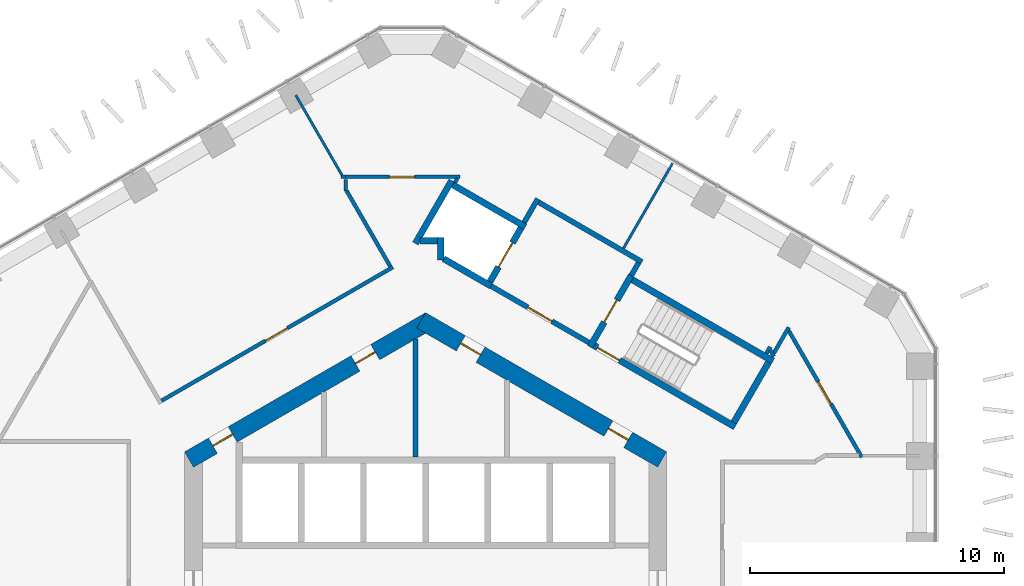
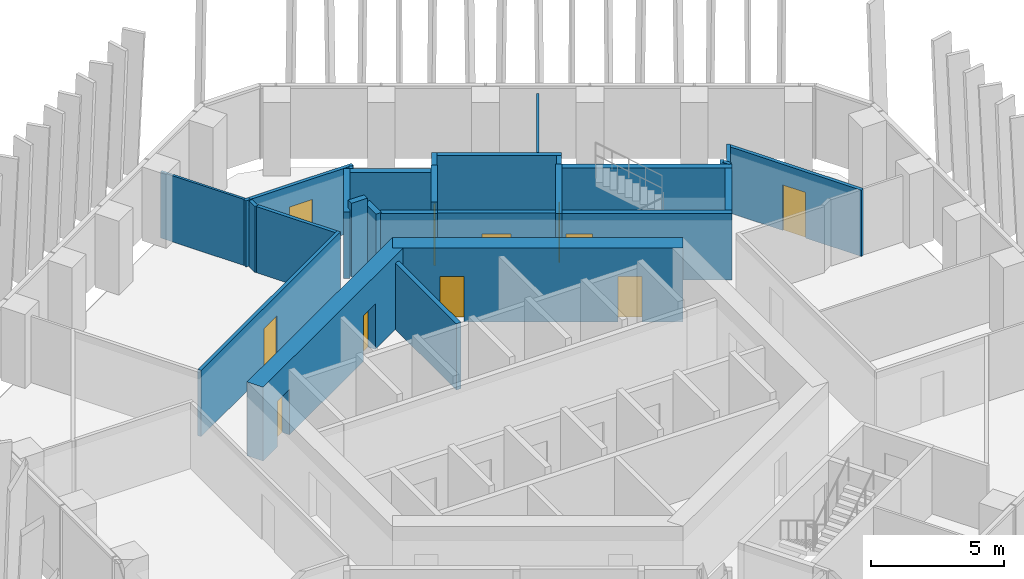
# One storey, part 15 of 19: 29 walls, 11 doors, 11 openings.
"""IFC4 building model written with IfcOpenShell, lengths in metres."""

from ifc_helpers import new_model, si_unit, direction, frame, frame_2d, origin, place, context, subcontext, project, spatial, rectangle, extrude, material, layer, layer_set, type_object, element, fill, save


model = new_model("IFC4")

# Units and contexts
model_context = context("Model", 3, precision=1e-05, world=origin(), true_north=direction((0.0, 1.0)))
body_context = subcontext(model_context, "Body", "Model", "MODEL_VIEW")
ifc_project = project(units=[si_unit("LENGTHUNIT", "METRE"), si_unit("AREAUNIT", "SQUARE_METRE"), si_unit("VOLUMEUNIT", "CUBIC_METRE"), si_unit("PLANEANGLEUNIT", "RADIAN"), si_unit("MASSUNIT", "GRAM", prefix="KILO")], contexts=[model_context])

# Site, building, storey
site_placement = place(None, origin())
site = spatial("IfcSite", under=ifc_project, at=site_placement, CompositionType="ELEMENT")
building_placement = place(site_placement, origin())
building = spatial("IfcBuilding", under=site, at=building_placement, Name="Ayvan Gate Tower", CompositionType="ELEMENT")
storey_placement = place(building_placement, frame((0.0, 0.0, 113.699951171875)))
storey = spatial("IfcBuildingStorey", under=building, at=storey_placement, Name="L30", CompositionType="ELEMENT", Elevation=113.699951171875)

# Wall, openings, doors
ifc_material_1 = material(Name="Concrete C70/85", Category="concrete")
ifc_layer_1 = layer(ifc_material_1, 0.699951171875)
ifc_layer_set_1 = layer_set([ifc_layer_1], Name="Concrete C70/85")
wall_type_1 = type_object("IfcWallType", Name="Core wall 700 C70/85", PredefinedType="SHEAR", material=ifc_layer_set_1)
wall_1_placement = place(storey_placement, frame((9.324951171875, 5.181640625, 0.0), z_axis=(0.0, 0.0, 1.0), x_axis=(-0.866023993627, 0.500002442456, 0.0)))
wall_1 = element("IfcWall", 1, at=wall_1_placement, inside=storey, type_object=wall_type_1, Name="CORE-L30-1", PredefinedType="SHEAR", context=body_context, shape_type="SweptSolid", body=[
    extrude(rectangle(XDim=10.9697265625, YDim=0.699951171875, at=frame_2d((5.48486328125, 0.0))), origin(), (0.0, 0.0, 1.0), 3.400146484375),
])
opening_1_placement = place(wall_1_placement, frame((8.267333984375, 0.0, 0.0)))
opening_1 = element("IfcOpeningElement", 2, at=opening_1_placement, cuts=wall_1, Name="Opening L30-D32", PredefinedType="OPENING", context=body_context, shape_type="SweptSolid", body=[
    extrude(rectangle(XDim=0.89990234375, YDim=2.10009765625, at=frame_2d((0.449951171875, 1.050048828125))), frame((0.0, 0.35986328125, 0.0), z_axis=(0.0, -1.0, 0.0), x_axis=(1.0, 0.0, 0.0)), (0.0, 0.0, 1.0), 0.719970703125),
])
opening_2_placement = place(wall_1_placement, frame((1.547119140625, 0.0, 0.0)))
opening_2 = element("IfcOpeningElement", 3, at=opening_2_placement, cuts=wall_1, Name="Opening L30-D33", PredefinedType="OPENING", context=body_context, shape_type="SweptSolid", body=[
    extrude(rectangle(XDim=0.89990234375, YDim=2.10009765625, at=frame_2d((0.449951171875, 1.050048828125))), frame((0.0, 0.35986328125, 0.0), z_axis=(0.0, -1.0, 0.0), x_axis=(1.0, 0.0, 0.0)), (0.0, 0.0, 1.0), 0.719970703125),
])
ifc_material_2 = material(Name="Timber door leaf", Category="wood")
door_type_1 = type_object("IfcDoorType", Name="DT-900", OperationType="NOTDEFINED", PredefinedType="DOOR", material=ifc_material_2)
door_1_placement = place(opening_1_placement, origin())
door_1 = element("IfcDoor", 4, at=door_1_placement, inside=storey, type_object=door_type_1, Name="CD-L30-32", OperationType="SINGLE_SWING_RIGHT", OverallHeight=2.10009765625, OverallWidth=0.89990234375, PredefinedType="DOOR", context=body_context, shape_type="SweptSolid", body=[
    extrude(rectangle(XDim=0.89990234375, YDim=2.10009765625, at=frame_2d((0.449951171875, 1.050048828125))), frame((0.0, 0.02490234375, 0.0), z_axis=(0.0, -1.0, 0.0), x_axis=(1.0, 0.0, 0.0)), (0.0, 0.0, 1.0), 0.050048828125),
])
fill(opening_1, door_1)
door_2_placement = place(opening_2_placement, origin())
door_2 = element("IfcDoor", 5, at=door_2_placement, inside=storey, type_object=door_type_1, Name="CD-L30-33", OperationType="SINGLE_SWING_LEFT", OverallHeight=2.10009765625, OverallWidth=0.89990234375, PredefinedType="DOOR", context=body_context, shape_type="SweptSolid", body=[
    extrude(rectangle(XDim=0.89990234375, YDim=2.10009765625, at=frame_2d((0.449951171875, 1.050048828125))), frame((0.0, 0.02490234375, 0.0), z_axis=(0.0, -1.0, 0.0), x_axis=(1.0, 0.0, 0.0)), (0.0, 0.0, 1.0), 0.050048828125),
])
fill(opening_2, door_2)

wall_2_placement = place(storey_placement, frame((0.175048828125, 10.66650390625, 0.0), z_axis=(0.0, 0.0, 1.0), x_axis=(-0.866023993627, -0.500002442456, 0.0)))
wall_2 = element("IfcWall", 6, at=wall_2_placement, inside=storey, type_object=wall_type_1, Name="CORE-L30-2", PredefinedType="SHEAR", context=body_context, shape_type="SweptSolid", body=[
    extrude(rectangle(XDim=10.9697265625, YDim=0.699951171875, at=frame_2d((5.48486328125, 0.0))), origin(), (0.0, 0.0, 1.0), 3.400146484375),
])
opening_3_placement = place(wall_2_placement, frame((8.984619140625, 0.0, 0.0)))
opening_3 = element("IfcOpeningElement", 7, at=opening_3_placement, cuts=wall_2, Name="Opening L30-D30", PredefinedType="OPENING", context=body_context, shape_type="SweptSolid", body=[
    extrude(rectangle(XDim=0.89990234375, YDim=2.10009765625, at=frame_2d((0.449951171875, 1.050048828125))), frame((0.0, 0.35986328125, 0.0), z_axis=(0.0, -1.0, 0.0), x_axis=(1.0, 0.0, 0.0)), (0.0, 0.0, 1.0), 0.719970703125),
])
opening_4_placement = place(wall_2_placement, frame((2.4951171875, 0.0, 0.0)))
opening_4 = element("IfcOpeningElement", 8, at=opening_4_placement, cuts=wall_2, Name="Opening L30-D31", PredefinedType="OPENING", context=body_context, shape_type="SweptSolid", body=[
    extrude(rectangle(XDim=0.89990234375, YDim=2.10009765625, at=frame_2d((0.449951171875, 1.050048828125))), frame((0.0, 0.35986328125, 0.0), z_axis=(0.0, -1.0, 0.0), x_axis=(1.0, 0.0, 0.0)), (0.0, 0.0, 1.0), 0.719970703125),
])
door_3_placement = place(opening_3_placement, origin())
door_3 = element("IfcDoor", 9, at=door_3_placement, inside=storey, type_object=door_type_1, Name="CD-L30-30", OperationType="SINGLE_SWING_RIGHT", OverallHeight=2.10009765625, OverallWidth=0.89990234375, PredefinedType="DOOR", context=body_context, shape_type="SweptSolid", body=[
    extrude(rectangle(XDim=0.89990234375, YDim=2.10009765625, at=frame_2d((0.449951171875, 1.050048828125))), frame((0.0, 0.02490234375, 0.0), z_axis=(0.0, -1.0, 0.0), x_axis=(1.0, 0.0, 0.0)), (0.0, 0.0, 1.0), 0.050048828125),
])
fill(opening_3, door_3)
door_4_placement = place(opening_4_placement, origin())
door_4 = element("IfcDoor", 10, at=door_4_placement, inside=storey, type_object=door_type_1, Name="CD-L30-31", OperationType="SINGLE_SWING_LEFT", OverallHeight=2.10009765625, OverallWidth=0.89990234375, PredefinedType="DOOR", context=body_context, shape_type="SweptSolid", body=[
    extrude(rectangle(XDim=0.89990234375, YDim=2.10009765625, at=frame_2d((0.449951171875, 1.050048828125))), frame((0.0, 0.02490234375, 0.0), z_axis=(0.0, -1.0, 0.0), x_axis=(1.0, 0.0, 0.0)), (0.0, 0.0, 1.0), 0.050048828125),
])
fill(opening_4, door_4)

# Wall, opening, door
ifc_material_3 = material(Name="Plasterboard on steel stud", Category="steel")
ifc_layer_2 = layer(ifc_material_3, 0.14990234375)
ifc_layer_set_2 = layer_set([ifc_layer_2], Name="Plasterboard on steel stud")
wall_type_2 = type_object("IfcWallType", Name="WT-CORR-150", PredefinedType="PARTITIONING", material=ifc_layer_set_2)
wall_3_placement = place(storey_placement, frame((-10.41015625, 7.49951171875, 0.0), z_axis=(0.0, 0.0, 1.0), x_axis=(0.866016108349, 0.50001609982, 0.0)))
wall_3 = element("IfcWall", 11, at=wall_3_placement, inside=storey, type_object=wall_type_2, Name="IW-L30-013", PredefinedType="PARTITIONING", context=body_context, shape_type="SweptSolid", body=[
    extrude(rectangle(XDim=10.531494140625, YDim=0.14990234375, at=frame_2d((5.265625, 0.0))), origin(), (0.0, 0.0, 1.0), 3.050048828125),
])
opening_5_placement = place(wall_3_placement, frame((4.728271484375, 0.0, 0.0)))
opening_5 = element("IfcOpeningElement", 12, at=opening_5_placement, cuts=wall_3, Name="Opening L30-D29", PredefinedType="OPENING", context=body_context, shape_type="SweptSolid", body=[
    extrude(rectangle(XDim=1.0, YDim=2.10009765625, at=frame_2d((0.5, 1.050048828125))), frame((0.0, 0.0849609375, 0.0), z_axis=(0.0, -1.0, 0.0), x_axis=(1.0, 0.0, 0.0)), (0.0, 0.0, 1.0), 0.169921875),
])
door_type_2 = type_object("IfcDoorType", Name="DT-1000", OperationType="NOTDEFINED", PredefinedType="DOOR", material=ifc_material_2)
door_5_placement = place(opening_5_placement, origin())
door_5 = element("IfcDoor", 13, at=door_5_placement, inside=storey, type_object=door_type_2, Name="ID-L30-029", OperationType="SINGLE_SWING_LEFT", OverallHeight=2.10009765625, OverallWidth=1.0, PredefinedType="DOOR", context=body_context, shape_type="SweptSolid", body=[
    extrude(rectangle(XDim=1.0, YDim=2.10009765625, at=frame_2d((0.5, 1.050048828125))), frame((0.0, 0.02490234375, 0.0), z_axis=(0.0, -1.0, 0.0), x_axis=(1.0, 0.0, 0.0)), (0.0, 0.0, 1.0), 0.050048828125),
])
fill(opening_5, door_5)

# Walls
wall_4_placement = place(storey_placement, frame((-3.334716796875, 16.327392578125, 0.0), z_axis=(0.0, 0.0, 1.0), x_axis=(1.0, 0.0, 0.0)))
element("IfcWall", 14, at=wall_4_placement, inside=storey, type_object=wall_type_2, Name="IW-L30-040", PredefinedType="PARTITIONING", context=body_context, shape_type="SweptSolid", body=[
    extrude(rectangle(XDim=0.184814453125, YDim=0.14990234375, at=frame_2d((0.09228515625, 0.0))), origin(), (0.0, 0.0, 1.0), 3.050048828125),
])
wall_5_placement = place(storey_placement, frame((-3.14990234375, 15.762451171875, 0.0), z_axis=(0.0, 0.0, 1.0), x_axis=(0.0, 1.0, 0.0)))
element("IfcWall", 15, at=wall_5_placement, inside=storey, type_object=wall_type_2, Name="IW-L30-041", PredefinedType="PARTITIONING", context=body_context, shape_type="SweptSolid", body=[
    extrude(rectangle(XDim=0.449951171875, YDim=0.14990234375, at=frame_2d((0.22509765625, 0.0))), origin(), (0.0, 0.0, 1.0), 3.050048828125),
])

# Wall, opening, door
wall_6_placement = place(storey_placement, frame((-3.14990234375, 16.32861328125, 0.0), z_axis=(0.0, 0.0, 1.0), x_axis=(1.0, 0.0, 0.0)))
wall_6 = element("IfcWall", 16, at=wall_6_placement, inside=storey, type_object=wall_type_2, Name="IW-L30-043", PredefinedType="PARTITIONING", context=body_context, shape_type="SweptSolid", body=[
    extrude(rectangle(XDim=4.511474609375, YDim=0.14990234375, at=frame_2d((2.255859375, 0.0))), origin(), (0.0, 0.0, 1.0), 3.050048828125),
])
opening_6_placement = place(wall_6_placement, frame((1.71826171875, 0.0, 0.0)))
opening_6 = element("IfcOpeningElement", 17, at=opening_6_placement, cuts=wall_6, Name="Opening L30-D20", PredefinedType="OPENING", context=body_context, shape_type="SweptSolid", body=[
    extrude(rectangle(XDim=1.0, YDim=2.10009765625, at=frame_2d((0.5, 1.050048828125))), frame((0.0, 0.0849609375, 0.0), z_axis=(0.0, -1.0, 0.0), x_axis=(1.0, 0.0, 0.0)), (0.0, 0.0, 1.0), 0.169921875),
])
door_6_placement = place(opening_6_placement, origin())
door_6 = element("IfcDoor", 18, at=door_6_placement, inside=storey, type_object=door_type_2, Name="ID-L30-020", OperationType="SINGLE_SWING_RIGHT", OverallHeight=2.10009765625, OverallWidth=1.0, PredefinedType="DOOR", context=body_context, shape_type="SweptSolid", body=[
    extrude(rectangle(XDim=1.0, YDim=2.10009765625, at=frame_2d((0.5, 1.050048828125))), frame((0.0, 0.02490234375, 0.0), z_axis=(0.0, -1.0, 0.0), x_axis=(1.0, 0.0, 0.0)), (0.0, 0.0, 1.0), 0.050048828125),
])
fill(opening_6, door_6)

# Walls
wall_7_placement = place(storey_placement, frame((-1.39208984375, 12.792724609375, 0.0), z_axis=(0.0, 0.0, 1.0), x_axis=(-0.500023413245, 0.866011885719, 0.0)))
element("IfcWall", 19, at=wall_7_placement, inside=storey, type_object=wall_type_2, Name="IW-L30-048", PredefinedType="PARTITIONING", context=body_context, shape_type="SweptSolid", body=[
    extrude(rectangle(XDim=3.440673828125, YDim=0.14990234375, at=frame_2d((1.72021484375, 0.0))), origin(), (0.0, 0.0, 1.0), 3.050048828125),
])
wall_8_placement = place(storey_placement, frame((1.2490234375, 16.263671875, 0.0), z_axis=(0.0, 0.0, 1.0), x_axis=(-0.499416606365, -0.866361964358, 0.0)))
element("IfcWall", 20, at=wall_8_placement, inside=storey, type_object=wall_type_2, Name="IW-L30-061", PredefinedType="PARTITIONING", context=body_context, shape_type="SweptSolid", body=[
    extrude(rectangle(XDim=0.184326171875, YDim=0.14990234375, at=frame_2d((0.09228515625, 0.0))), origin(), (0.0, 0.0, 1.0), 3.050048828125),
])
wall_9_placement = place(storey_placement, frame((13.431396484375, 9.36376953125, 0.0), z_axis=(0.0, 0.0, 1.0), x_axis=(0.49995513091, 0.866051307416, 0.0)))
element("IfcWall", 21, at=wall_9_placement, inside=storey, type_object=wall_type_2, Name="IW-L30-096", PredefinedType="PARTITIONING", context=body_context, shape_type="SweptSolid", body=[
    extrude(rectangle(XDim=0.302734375, YDim=0.14990234375, at=frame_2d((0.1513671875, 0.0))), origin(), (0.0, 0.0, 1.0), 3.050048828125),
])
wall_10_placement = place(storey_placement, frame((13.582763671875, 9.49609375, 0.0), z_axis=(0.0, 0.0, 1.0), x_axis=(0.499868889286, -0.866101087359, 0.0)))
element("IfcWall", 22, at=wall_10_placement, inside=storey, type_object=wall_type_2, Name="IW-L30-097", PredefinedType="PARTITIONING", context=body_context, shape_type="SweptSolid", body=[
    extrude(rectangle(XDim=0.28857421875, YDim=0.14990234375, at=frame_2d((0.144287109375, 0.0))), origin(), (0.0, 0.0, 1.0), 3.050048828125),
])
wall_11_placement = place(storey_placement, frame((13.72705078125, 9.3759765625, 0.0), z_axis=(0.0, 0.0, 1.0), x_axis=(0.499986503906, 0.866033195618, 0.0)))
element("IfcWall", 23, at=wall_11_placement, inside=storey, type_object=wall_type_2, Name="IW-L30-099", PredefinedType="PARTITIONING", context=body_context, shape_type="SweptSolid", body=[
    extrude(rectangle(XDim=1.173828125, YDim=0.14990234375, at=frame_2d((0.5869140625, 0.0))), origin(), (0.0, 0.0, 1.0), 3.050048828125),
])

# Wall, opening, door
wall_12_placement = place(storey_placement, frame((14.31396484375, 10.2626953125, 0.0), z_axis=(0.0, 0.0, 1.0), x_axis=(0.500001380108, -0.866024606977, 0.0)))
wall_12 = element("IfcWall", 24, at=wall_12_placement, inside=storey, type_object=wall_type_2, Name="IW-L30-100", PredefinedType="PARTITIONING", context=body_context, shape_type="SweptSolid", body=[
    extrude(rectangle(XDim=5.75830078125, YDim=0.14990234375, at=frame_2d((2.879150390625, 0.0))), origin(), (0.0, 0.0, 1.0), 3.050048828125),
])
opening_7_placement = place(wall_12_placement, frame((2.32421875, 0.0, 0.0)))
opening_7 = element("IfcOpeningElement", 25, at=opening_7_placement, cuts=wall_12, Name="Opening L30-D19", PredefinedType="OPENING", context=body_context, shape_type="SweptSolid", body=[
    extrude(rectangle(XDim=1.0, YDim=2.10009765625, at=frame_2d((0.5, 1.050048828125))), frame((0.0, 0.0849609375, 0.0), z_axis=(0.0, -1.0, 0.0), x_axis=(1.0, 0.0, 0.0)), (0.0, 0.0, 1.0), 0.169921875),
])
door_7_placement = place(opening_7_placement, origin())
door_7 = element("IfcDoor", 26, at=door_7_placement, inside=storey, type_object=door_type_2, Name="ID-L30-019", OperationType="SINGLE_SWING_LEFT", OverallHeight=2.10009765625, OverallWidth=1.0, PredefinedType="DOOR", context=body_context, shape_type="SweptSolid", body=[
    extrude(rectangle(XDim=1.0, YDim=2.10009765625, at=frame_2d((0.5, 1.050048828125))), frame((0.0, 0.02490234375, 0.0), z_axis=(0.0, -1.0, 0.0), x_axis=(1.0, 0.0, 0.0)), (0.0, 0.0, 1.0), 0.050048828125),
])
fill(opening_7, door_7)

# Walls
ifc_layer_3 = layer(ifc_material_3, 0.10009765625)
ifc_layer_set_3 = layer_set([ifc_layer_3], Name="Plasterboard on steel stud")
wall_type_3 = type_object("IfcWallType", Name="WT-PART-100", PredefinedType="PARTITIONING", material=ifc_layer_set_3)
wall_13_placement = place(storey_placement, frame((-3.29736328125, 16.392578125, 0.0), z_axis=(0.0, 0.0, 1.0), x_axis=(-0.500004960326, 0.86602253992, 0.0)))
element("IfcWall", 27, at=wall_13_placement, inside=storey, type_object=wall_type_3, Name="IW-L30-039", PredefinedType="PARTITIONING", context=body_context, shape_type="SweptSolid", body=[
    extrude(rectangle(XDim=3.640625, YDim=0.10009765625, at=frame_2d((1.8203125, 0.0))), origin(), (0.0, 0.0, 1.0), 3.050048828125),
])
wall_14_placement = place(storey_placement, frame((7.800048828125, 13.510009765625, 0.0), z_axis=(0.0, 0.0, 1.0), x_axis=(0.499977146319, 0.866038597961, 0.0)))
element("IfcWall", 28, at=wall_14_placement, inside=storey, type_object=wall_type_3, Name="IW-L30-085", PredefinedType="PARTITIONING", context=body_context, shape_type="SweptSolid", body=[
    extrude(rectangle(XDim=3.872314453125, YDim=0.10009765625, at=frame_2d((1.93603515625, 0.0))), origin(), (0.0, 0.0, 1.0), 3.050048828125),
])
ifc_layer_4 = layer(ifc_material_3, 0.199951171875)
ifc_layer_set_4 = layer_set([ifc_layer_4], Name="Plasterboard on steel stud")
wall_type_4 = type_object("IfcWallType", Name="WT-RATED-200", PredefinedType="PARTITIONING", material=ifc_layer_set_4)
wall_15_placement = place(storey_placement, frame((-0.39990234375, 9.930419921875, 0.0), z_axis=(0.0, 0.0, 1.0), x_axis=(0.0, -1.0, 0.0)))
element("IfcWall", 29, at=wall_15_placement, inside=storey, type_object=wall_type_4, Name="IW-L30-053", PredefinedType="PARTITIONING", context=body_context, shape_type="SweptSolid", body=[
    extrude(rectangle(XDim=4.655517578125, YDim=0.199951171875, at=frame_2d((2.32763671875, 0.0))), origin(), (0.0, 0.0, 1.0), 3.050048828125),
])
wall_16_placement = place(storey_placement, frame((3.885009765625, 14.52880859375, 0.0), z_axis=(0.0, 0.0, 1.0), x_axis=(0.499997628298, 0.866026773083, 0.0)))
element("IfcWall", 30, at=wall_16_placement, inside=storey, type_object=wall_type_4, Name="IW-L30-072", PredefinedType="PARTITIONING", context=body_context, shape_type="SweptSolid", body=[
    extrude(rectangle(XDim=1.0751953125, YDim=0.199951171875, at=frame_2d((0.53759765625, 0.0))), origin(), (0.0, 0.0, 1.0), 3.050048828125),
])
wall_17_placement = place(storey_placement, frame((4.458984375, 15.323486328125, 0.0), z_axis=(0.0, 0.0, 1.0), x_axis=(0.866016039709, -0.500016218704, 0.0)))
element("IfcWall", 31, at=wall_17_placement, inside=storey, type_object=wall_type_4, Name="IW-L30-073", PredefinedType="PARTITIONING", context=body_context, shape_type="SweptSolid", body=[
    extrude(rectangle(XDim=4.699951171875, YDim=0.199951171875, at=frame_2d((2.35009765625, 0.0))), origin(), (0.0, 0.0, 1.0), 3.050048828125),
])

# Wall, opening, door
wall_18_placement = place(storey_placement, frame((6.4345703125, 9.794921875, 0.0), z_axis=(0.0, 0.0, 1.0), x_axis=(-0.866012907634, 0.500021643343, 0.0)))
wall_18 = element("IfcWall", 32, at=wall_18_placement, inside=storey, type_object=wall_type_4, Name="IW-L30-076", PredefinedType="PARTITIONING", context=body_context, shape_type="SweptSolid", body=[
    extrude(rectangle(XDim=4.449951171875, YDim=0.199951171875, at=frame_2d((2.22509765625, 0.0))), origin(), (0.0, 0.0, 1.0), 3.050048828125),
])
opening_8_placement = place(wall_18_placement, frame((1.675048828125, 0.0, 0.0)))
opening_8 = element("IfcOpeningElement", 33, at=opening_8_placement, cuts=wall_18, Name="Opening L30-D08", PredefinedType="OPENING", context=body_context, shape_type="SweptSolid", body=[
    extrude(rectangle(XDim=1.10009765625, YDim=2.10009765625, at=frame_2d((0.550048828125, 1.050048828125))), frame((0.0, 0.10986328125, 0.0), z_axis=(0.0, -1.0, 0.0), x_axis=(1.0, 0.0, 0.0)), (0.0, 0.0, 1.0), 0.219970703125),
])
door_type_3 = type_object("IfcDoorType", Name="DT-1100", OperationType="NOTDEFINED", PredefinedType="DOOR", material=ifc_material_2)
door_8_placement = place(opening_8_placement, origin())
door_8 = element("IfcDoor", 34, at=door_8_placement, inside=storey, type_object=door_type_3, Name="ID-L30-008", OperationType="SINGLE_SWING_RIGHT", OverallHeight=2.10009765625, OverallWidth=1.10009765625, PredefinedType="DOOR", context=body_context, shape_type="SweptSolid", body=[
    extrude(rectangle(XDim=1.10009765625, YDim=2.10009765625, at=frame_2d((0.550048828125, 1.050048828125))), frame((0.0, 0.02490234375, 0.0), z_axis=(0.0, -1.0, 0.0), x_axis=(1.0, 0.0, 0.0)), (0.0, 0.0, 1.0), 0.050048828125),
])
fill(opening_8, door_8)

# Walls
wall_19_placement = place(storey_placement, frame((8.392822265625, 12.936767578125, 0.0), z_axis=(0.0, 0.0, 1.0), x_axis=(-0.500065409566, -0.86598763626, 0.0)))
element("IfcWall", 35, at=wall_19_placement, inside=storey, type_object=wall_type_4, Name="IW-L30-087", PredefinedType="PARTITIONING", context=body_context, shape_type="SweptSolid", body=[
    extrude(rectangle(XDim=0.5751953125, YDim=0.199951171875, at=frame_2d((0.28759765625, 0.0))), origin(), (0.0, 0.0, 1.0), 3.050048828125),
])
ifc_material_4 = material(Name="Concrete C50/60", Category="concrete")
ifc_layer_5 = layer(ifc_material_4, 0.25)
ifc_layer_set_5 = layer_set([ifc_layer_5], Name="Concrete C50/60")
wall_type_5 = type_object("IfcWallType", Name="WT-RC-250", PredefinedType="SHEAR", material=ifc_layer_set_5)
wall_20_placement = place(storey_placement, frame((-0.403076171875, 13.70166015625, 0.0), z_axis=(0.0, 0.0, 1.0), x_axis=(0.499976111731, 0.866039195244, 0.0)))
element("IfcWall", 36, at=wall_20_placement, inside=storey, type_object=wall_type_5, Name="IW-L30-054", PredefinedType="SHEAR", context=body_context, shape_type="SweptSolid", body=[
    extrude(rectangle(XDim=2.860595703125, YDim=0.25, at=frame_2d((1.43017578125, 0.0))), origin(), (0.0, 0.0, 1.0), 3.050048828125),
])
wall_21_placement = place(storey_placement, frame((0.60009765625, 13.03857421875, 0.0), z_axis=(0.0, 0.0, 1.0), x_axis=(0.0, 1.0, 0.0)))
element("IfcWall", 37, at=wall_21_placement, inside=storey, type_object=wall_type_5, Name="IW-L30-058", PredefinedType="SHEAR", context=body_context, shape_type="SweptSolid", body=[
    extrude(rectangle(XDim=0.896484375, YDim=0.25, at=frame_2d((0.4482421875, 0.0))), origin(), (0.0, 0.0, 1.0), 3.050048828125),
])
wall_22_placement = place(storey_placement, frame((0.47509765625, 13.81005859375, 0.0), z_axis=(0.0, 0.0, 1.0), x_axis=(-1.0, 0.0, 0.0)))
element("IfcWall", 38, at=wall_22_placement, inside=storey, type_object=wall_type_5, Name="IW-L30-059", PredefinedType="SHEAR", context=body_context, shape_type="SweptSolid", body=[
    extrude(rectangle(XDim=0.690673828125, YDim=0.25, at=frame_2d((0.34521484375, 0.0))), origin(), (0.0, 0.0, 1.0), 3.400146484375),
])
wall_23_placement = place(storey_placement, frame((1.072998046875, 16.00830078125, 0.0), z_axis=(0.0, 0.0, 1.0), x_axis=(0.866040211805, -0.499974350878, 0.0)))
element("IfcWall", 39, at=wall_23_placement, inside=storey, type_object=wall_type_5, Name="IW-L30-060", PredefinedType="SHEAR", context=body_context, shape_type="SweptSolid", body=[
    extrude(rectangle(XDim=3.300048828125, YDim=0.25, at=frame_2d((1.64990234375, 0.0))), origin(), (0.0, 0.0, 1.0), 3.050048828125),
])
wall_24_placement = place(storey_placement, frame((2.580810546875, 12.02001953125, 0.0), z_axis=(0.0, 0.0, 1.0), x_axis=(-0.86603892542, 0.499976579108, 0.0)))
element("IfcWall", 40, at=wall_24_placement, inside=storey, type_object=wall_type_5, Name="IW-L30-065", PredefinedType="SHEAR", context=body_context, shape_type="SweptSolid", body=[
    extrude(rectangle(XDim=2.162109375, YDim=0.25, at=frame_2d((1.0810546875, 0.0))), origin(), (0.0, 0.0, 1.0), 3.050048828125),
])

# Wall, opening, door
wall_25_placement = place(storey_placement, frame((2.534912109375, 12.19091796875, 0.0), z_axis=(0.0, 0.0, 1.0), x_axis=(0.500061746146, 0.865989751695, 0.0)))
wall_25 = element("IfcWall", 41, at=wall_25_placement, inside=storey, type_object=wall_type_5, Name="IW-L30-066", PredefinedType="SHEAR", context=body_context, shape_type="SweptSolid", body=[
    extrude(rectangle(XDim=2.449951171875, YDim=0.25, at=frame_2d((1.22509765625, 0.0))), origin(), (0.0, 0.0, 1.0), 3.400146484375),
])
opening_9_placement = place(wall_25_placement, frame((0.675048828125, 0.0, 0.0)))
opening_9 = element("IfcOpeningElement", 42, at=opening_9_placement, cuts=wall_25, Name="Opening L30-LD-FF1", PredefinedType="OPENING", context=body_context, shape_type="SweptSolid", body=[
    extrude(rectangle(XDim=1.10009765625, YDim=2.10009765625, at=frame_2d((0.550048828125, 1.050048828125))), frame((0.0, 0.135009765625, 0.0), z_axis=(0.0, -1.0, 0.0), x_axis=(1.0, 0.0, 0.0)), (0.0, 0.0, 1.0), 0.27001953125),
])
ifc_material_5 = material(Name="Stainless steel landing door", Category="steel")
door_type_4 = type_object("IfcDoorType", Name="DT-LANDING-1100", OperationType="SLIDING_TO_LEFT", PredefinedType="DOOR", material=ifc_material_5)
door_9_placement = place(opening_9_placement, origin())
door_9 = element("IfcDoor", 43, at=door_9_placement, inside=storey, type_object=door_type_4, Name="ID-L30-009", OperationType="SLIDING_TO_LEFT", OverallHeight=2.10009765625, OverallWidth=1.10009765625, PredefinedType="DOOR", context=body_context, shape_type="SweptSolid", body=[
    extrude(rectangle(XDim=1.10009765625, YDim=2.10009765625, at=frame_2d((0.550048828125, 1.050048828125))), frame((0.0, 0.02490234375, 0.0), z_axis=(0.0, -1.0, 0.0), x_axis=(1.0, 0.0, 0.0)), (0.0, 0.0, 1.0), 0.050048828125),
])
fill(opening_9, door_9)

wall_26_placement = place(storey_placement, frame((6.480224609375, 9.624267578125, 0.0), z_axis=(0.0, 0.0, 1.0), x_axis=(0.500017246033, 0.866015446554, 0.0)))
wall_26 = element("IfcWall", 44, at=wall_26_placement, inside=storey, type_object=wall_type_5, Name="IW-L30-077", PredefinedType="SHEAR", context=body_context, shape_type="SweptSolid", body=[
    extrude(rectangle(XDim=3.25, YDim=0.25, at=frame_2d((1.625, 0.0))), origin(), (0.0, 0.0, 1.0), 3.050048828125),
])
opening_10_placement = place(wall_26_placement, frame((1.125, 0.0, 0.0)))
opening_10 = element("IfcOpeningElement", 45, at=opening_10_placement, cuts=wall_26, Name="Opening L30-D07", PredefinedType="OPENING", context=body_context, shape_type="SweptSolid", body=[
    extrude(rectangle(XDim=1.0, YDim=2.10009765625, at=frame_2d((0.5, 1.050048828125))), frame((0.0, 0.135009765625, 0.0), z_axis=(0.0, -1.0, 0.0), x_axis=(1.0, 0.0, 0.0)), (0.0, 0.0, 1.0), 0.27001953125),
])
door_10_placement = place(opening_10_placement, origin())
door_10 = element("IfcDoor", 46, at=door_10_placement, inside=storey, type_object=door_type_2, Name="ID-L30-007", OperationType="SINGLE_SWING_LEFT", OverallHeight=2.10009765625, OverallWidth=1.0, PredefinedType="DOOR", context=body_context, shape_type="SweptSolid", body=[
    extrude(rectangle(XDim=1.0, YDim=2.10009765625, at=frame_2d((0.5, 1.050048828125))), frame((0.0, 0.02490234375, 0.0), z_axis=(0.0, -1.0, 0.0), x_axis=(1.0, 0.0, 0.0)), (0.0, 0.0, 1.0), 0.050048828125),
])
fill(opening_10, door_10)

# Wall
wall_27_placement = place(storey_placement, frame((8.151123046875, 12.26806640625, 0.0), z_axis=(0.0, 0.0, 1.0), x_axis=(0.866025499775, -0.499999833739, 0.0)))
element("IfcWall", 47, at=wall_27_placement, inside=storey, type_object=wall_type_5, Name="IW-L30-086", PredefinedType="SHEAR", context=body_context, shape_type="SweptSolid", body=[
    extrude(rectangle(XDim=6.39990234375, YDim=0.25, at=frame_2d((3.199951171875, 0.0))), origin(), (0.0, 0.0, 1.0), 3.050048828125),
])

# Wall, opening, door
wall_28_placement = place(storey_placement, frame((12.193603515625, 6.469970703125, 0.0), z_axis=(0.0, 0.0, 1.0), x_axis=(-0.866025499775, 0.499999833739, 0.0)))
wall_28 = element("IfcWall", 48, at=wall_28_placement, inside=storey, type_object=wall_type_5, Name="IW-L30-094", PredefinedType="SHEAR", context=body_context, shape_type="SweptSolid", body=[
    extrude(rectangle(XDim=6.39990234375, YDim=0.25, at=frame_2d((3.199951171875, 0.0))), origin(), (0.0, 0.0, 1.0), 3.050048828125),
])
opening_11_placement = place(wall_28_placement, frame((5.25, 0.0, 0.0)))
opening_11 = element("IfcOpeningElement", 49, at=opening_11_placement, cuts=wall_28, Name="Opening L30-D06", PredefinedType="OPENING", context=body_context, shape_type="SweptSolid", body=[
    extrude(rectangle(XDim=1.0, YDim=2.10009765625, at=frame_2d((0.5, 1.050048828125))), frame((0.0, 0.135009765625, 0.0), z_axis=(0.0, -1.0, 0.0), x_axis=(1.0, 0.0, 0.0)), (0.0, 0.0, 1.0), 0.27001953125),
])
door_11_placement = place(opening_11_placement, origin())
door_11 = element("IfcDoor", 50, at=door_11_placement, inside=storey, type_object=door_type_2, Name="ID-L30-006", OperationType="SINGLE_SWING_RIGHT", OverallHeight=2.10009765625, OverallWidth=1.0, PredefinedType="DOOR", context=body_context, shape_type="SweptSolid", body=[
    extrude(rectangle(XDim=1.0, YDim=2.10009765625, at=frame_2d((0.5, 1.050048828125))), frame((0.0, 0.02490234375, 0.0), z_axis=(0.0, -1.0, 0.0), x_axis=(1.0, 0.0, 0.0)), (0.0, 0.0, 1.0), 0.050048828125),
])
fill(opening_11, door_11)

# Wall
wall_29_placement = place(storey_placement, frame((13.52294921875, 9.022216796875, 0.0), z_axis=(0.0, 0.0, 1.0), x_axis=(-0.500034990121, -0.866005201286, 0.0)))
element("IfcWall", 51, at=wall_29_placement, inside=storey, type_object=wall_type_5, Name="IW-L30-098", PredefinedType="SHEAR", context=body_context, shape_type="SweptSolid", body=[
    extrude(rectangle(XDim=2.749755859375, YDim=0.25, at=frame_2d((1.375, 0.0))), origin(), (0.0, 0.0, 1.0), 3.050048828125),
])

save(model, "model.ifc")
